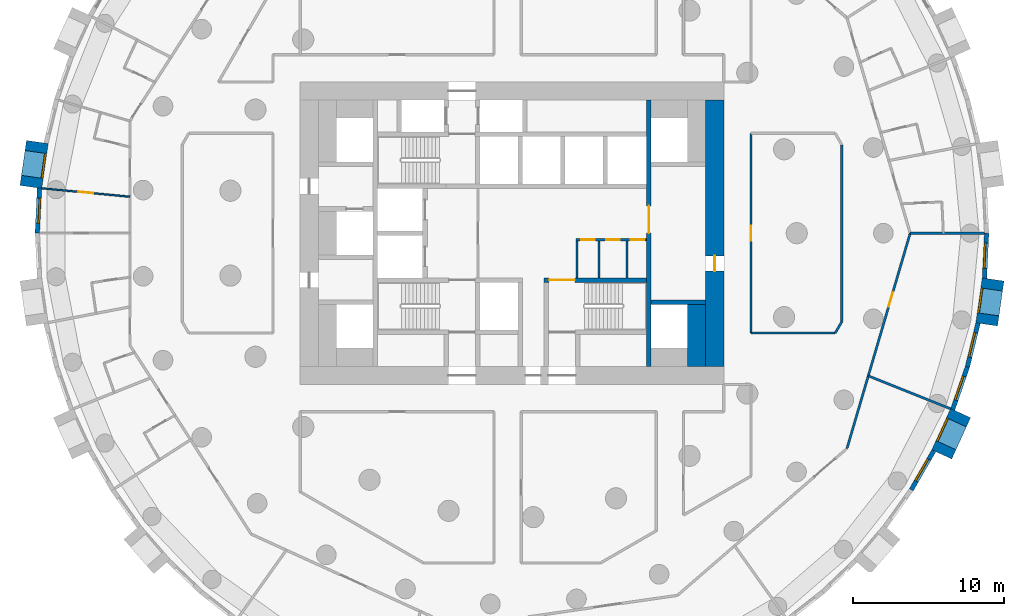
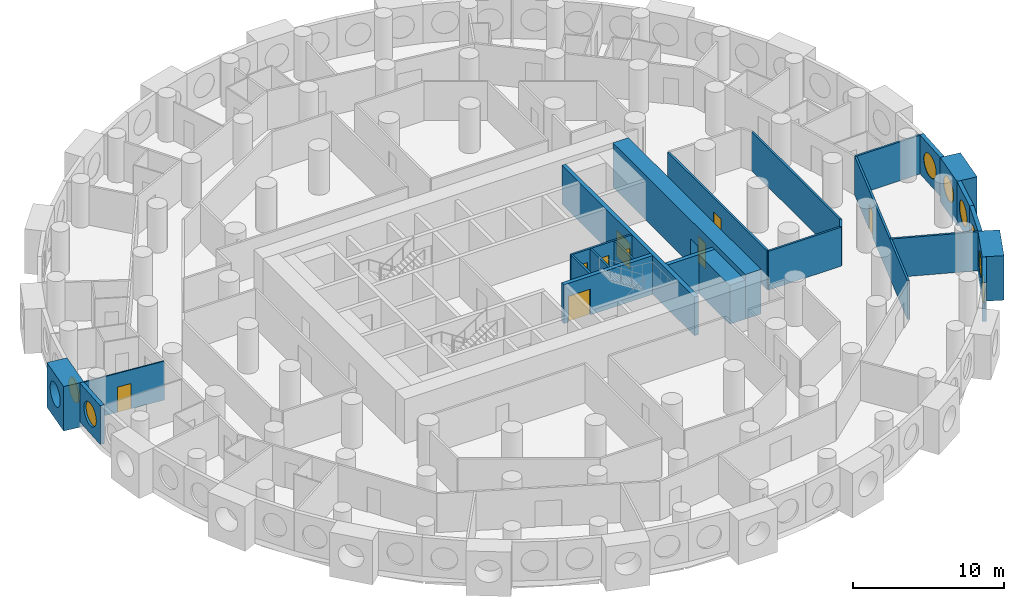
# One storey, part 6 of 12: 25 walls, 9 doors, 8 windows, 17 openings.
"""IFC4 building model written with IfcOpenShell, lengths in metres."""

from ifc_helpers import new_model, si_unit, direction, frame, frame_2d, origin, origin_2d, place, context, subcontext, project, spatial, rectangle, circle, extrude, material, layer, layer_set, type_object, element, fill, save


model = new_model("IFC4")

# Units and contexts
model_context = context("Model", 3, precision=1e-05, world=origin(), true_north=direction((0.0, 1.0)))
body_context = subcontext(model_context, "Body", "Model", "MODEL_VIEW")
ifc_project = project(units=[si_unit("LENGTHUNIT", "METRE"), si_unit("AREAUNIT", "SQUARE_METRE"), si_unit("VOLUMEUNIT", "CUBIC_METRE"), si_unit("PLANEANGLEUNIT", "RADIAN"), si_unit("MASSUNIT", "GRAM", prefix="KILO")], contexts=[model_context])

# Site, building, storey
site_placement = place(None, origin())
site = spatial("IfcSite", under=ifc_project, at=site_placement, CompositionType="ELEMENT")
building_placement = place(site_placement, origin())
building = spatial("IfcBuilding", under=site, at=building_placement, Name="Tracery Tower", CompositionType="ELEMENT")
storey_placement = place(building_placement, frame((0.0, 0.0, 107.39990234375)))
storey = spatial("IfcBuildingStorey", under=building, at=storey_placement, Name="L27", CompositionType="ELEMENT", Elevation=107.39990234375)

# Wall
ifc_material_1 = material(Name="Plasterboard on steel studs", Category="steel")
ifc_layer_1 = layer(ifc_material_1, 0.14990234375)
ifc_layer_set_1 = layer_set([ifc_layer_1], Name="Core room partition 150")
wall_type_1 = type_object("IfcWallType", Name="Core room partition 150", PredefinedType="SOLIDWALL", material=ifc_layer_set_1)
wall_1_placement = place(storey_placement, frame((4.300048828125, -2.949951171875, 0.0), z_axis=(0.0, 0.0, 1.0), x_axis=(0.0, 1.0, 0.0)))
element("IfcWall", 1, at=wall_1_placement, inside=storey, type_object=wall_type_1, Name="L27 slot W", PredefinedType="SOLIDWALL", context=body_context, shape_type="SweptSolid", body=[
    extrude(rectangle(XDim=2.449951171875, YDim=0.14990234375, at=frame_2d((1.22509765625, 0.0))), origin(), (0.0, 0.0, 1.0), 3.150146484375),
])

# Wall, openings, doors
wall_2_placement = place(storey_placement, frame((4.22509765625, -0.425048828125, 0.0), z_axis=(0.0, 0.0, 1.0), x_axis=(1.0, 0.0, 0.0)))
wall_2 = element("IfcWall", 2, at=wall_2_placement, inside=storey, type_object=wall_type_1, Name="L27 slot N", PredefinedType="SOLIDWALL", context=body_context, shape_type="SweptSolid", body=[
    extrude(rectangle(XDim=4.6748046875, YDim=0.14990234375, at=frame_2d((2.33740234375, 0.0))), origin(), (0.0, 0.0, 1.0), 3.150146484375),
])
opening_1_placement = place(wall_2_placement, frame((0.35009765625, 0.0, 0.0)))
opening_1 = element("IfcOpeningElement", 3, at=opening_1_placement, cuts=wall_2, Name="Opening KD27", PredefinedType="OPENING", context=body_context, shape_type="SweptSolid", body=[
    extrude(rectangle(XDim=0.89990234375, YDim=2.10009765625, at=frame_2d((0.449951171875, 1.050048828125))), frame((0.0, 0.074951171875, 0.0), z_axis=(0.0, -1.0, 0.0), x_axis=(1.0, 0.0, 0.0)), (0.0, 0.0, 1.0), 0.14990234375),
])
opening_2_placement = place(wall_2_placement, frame((2.0, 0.0, 0.0)))
opening_2 = element("IfcOpeningElement", 4, at=opening_2_placement, cuts=wall_2, Name="Opening KD21", PredefinedType="OPENING", context=body_context, shape_type="SweptSolid", body=[
    extrude(rectangle(XDim=0.89990234375, YDim=2.10009765625, at=frame_2d((0.449951171875, 1.050048828125))), frame((0.0, 0.074951171875, 0.0), z_axis=(0.0, -1.0, 0.0), x_axis=(1.0, 0.0, 0.0)), (0.0, 0.0, 1.0), 0.14990234375),
])
opening_3_placement = place(wall_2_placement, frame((3.612548828125, 0.0, 0.0)))
opening_3 = element("IfcOpeningElement", 5, at=opening_3_placement, cuts=wall_2, Name="Opening KD27", PredefinedType="OPENING", context=body_context, shape_type="SweptSolid", body=[
    extrude(rectangle(XDim=0.89990234375, YDim=2.10009765625, at=frame_2d((0.449951171875, 1.050048828125))), frame((0.0, 0.074951171875, 0.0), z_axis=(0.0, -1.0, 0.0), x_axis=(1.0, 0.0, 0.0)), (0.0, 0.0, 1.0), 0.14990234375),
])
ifc_material_2 = material(Name="Timber door leaf", Category="wood")
door_type_1 = type_object("IfcDoorType", Name="Core WC door 900", OperationType="NOTDEFINED", PredefinedType="DOOR", material=ifc_material_2)
door_1_placement = place(opening_2_placement, origin())
door_1 = element("IfcDoor", 6, at=door_1_placement, inside=storey, type_object=door_type_1, Name="Core door", OperationType="SINGLE_SWING_LEFT", OverallHeight=2.10009765625, OverallWidth=0.89990234375, PredefinedType="DOOR", context=body_context, shape_type="SweptSolid", body=[
    extrude(rectangle(XDim=0.89990234375, YDim=2.10009765625, at=frame_2d((0.449951171875, 1.050048828125))), frame((0.0, 0.02490234375, 0.0), z_axis=(0.0, -1.0, 0.0), x_axis=(1.0, 0.0, 0.0)), (0.0, 0.0, 1.0), 0.050048828125),
])
fill(opening_2, door_1)
ifc_material_3 = material(Name="Timber door leaf", Category="wood")
door_type_2 = type_object("IfcDoorType", Name="Core store door 900", OperationType="NOTDEFINED", PredefinedType="DOOR", material=ifc_material_3)
door_2_placement = place(opening_1_placement, origin())
door_2 = element("IfcDoor", 7, at=door_2_placement, inside=storey, type_object=door_type_2, Name="Core door", OperationType="SINGLE_SWING_RIGHT", OverallHeight=2.10009765625, OverallWidth=0.89990234375, PredefinedType="DOOR", context=body_context, shape_type="SweptSolid", body=[
    extrude(rectangle(XDim=0.89990234375, YDim=2.10009765625, at=frame_2d((0.449951171875, 1.050048828125))), frame((0.0, 0.02490234375, 0.0), z_axis=(0.0, -1.0, 0.0), x_axis=(1.0, 0.0, 0.0)), (0.0, 0.0, 1.0), 0.050048828125),
])
fill(opening_1, door_2)
door_3_placement = place(opening_3_placement, origin())
door_3 = element("IfcDoor", 8, at=door_3_placement, inside=storey, type_object=door_type_2, Name="Core door", OperationType="SINGLE_SWING_RIGHT", OverallHeight=2.10009765625, OverallWidth=0.89990234375, PredefinedType="DOOR", context=body_context, shape_type="SweptSolid", body=[
    extrude(rectangle(XDim=0.89990234375, YDim=2.10009765625, at=frame_2d((0.449951171875, 1.050048828125))), frame((0.0, 0.02490234375, 0.0), z_axis=(0.0, -1.0, 0.0), x_axis=(1.0, 0.0, 0.0)), (0.0, 0.0, 1.0), 0.050048828125),
])
fill(opening_3, door_3)

# Walls
for number, where, z_axis, x_axis, name in (
    (9, (5.75, -2.949951171875, 0.0), (0.0, 0.0, 1.0), (0.0, 1.0, 0.0), "L27 slot sep 1"),
    (10, (7.60009765625, -2.949951171875, 0.0), (0.0, 0.0, 1.0), (0.0, 1.0, 0.0), "L27 slot sep 2"),
):
    element("IfcWall", number, at=place(storey_placement, frame(where, z_axis=z_axis, x_axis=x_axis)), inside=storey, type_object=wall_type_1, Name=name, PredefinedType="SOLIDWALL", context=body_context, shape_type="SweptSolid", body=[
        extrude(rectangle(XDim=2.449951171875, YDim=0.14990234375, at=frame_2d((1.22509765625, 0.0))), origin(), (0.0, 0.0, 1.0), 3.150146484375),
    ])
ifc_material_4 = material(Name="Concrete C60/75", Category="concrete")
ifc_layer_2 = layer(ifc_material_4, 1.199951171875)
ifc_layer_set_2 = layer_set([ifc_layer_2], Name="Core strip wall 1200 C60")
wall_type_2 = type_object("IfcWallType", Name="Core strip wall 1200 C60", PredefinedType="SOLIDWALL", material=ifc_layer_set_2)
wall_3_placement = place(storey_placement, frame((12.199951171875, -8.800048828125, 0.0), z_axis=(0.0, 0.0, 1.0), x_axis=(0.0, 1.0, 0.0)))
element("IfcWall", 11, at=wall_3_placement, inside=storey, type_object=wall_type_2, Name="L27 wing strip +1 -9.4", PredefinedType="SOLIDWALL", context=body_context, shape_type="SweptSolid", body=[
    extrude(rectangle(XDim=4.10009765625, YDim=1.199951171875, at=frame_2d((2.050048828125, 0.0))), origin(), (0.0, 0.0, 1.0), 3.150146484375),
])

# Wall, opening, door
ifc_material_5 = material(Name="Concrete C60/75", Category="concrete")
ifc_layer_3 = layer(ifc_material_5, 1.199951171875)
ifc_layer_set_3 = layer_set([ifc_layer_3], Name="Core wall 1200 C60")
wall_type_3 = type_object("IfcWallType", Name="Core wall 1200 C60", PredefinedType="SOLIDWALL", material=ifc_layer_set_3)
wall_4_placement = place(storey_placement, frame((13.39990234375, -8.800048828125, 0.0), z_axis=(0.0, 0.0, 1.0), x_axis=(0.0, 1.0, 0.0)))
wall_4 = element("IfcWall", 12, at=wall_4_placement, inside=storey, type_object=wall_type_3, Name="L27 outer E", PredefinedType="SOLIDWALL", context=body_context, shape_type="SweptSolid", body=[
    extrude(rectangle(XDim=17.60009765625, YDim=1.199951171875, at=frame_2d((8.800048828125, 0.0))), origin(), (0.0, 0.0, 1.0), 3.60009765625),
])
opening_4_placement = place(wall_4_placement, frame((6.300048828125, 0.0, 0.0)))
opening_4 = element("IfcOpeningElement", 13, at=opening_4_placement, cuts=wall_4, Name="Opening KD18", PredefinedType="OPENING", context=body_context, shape_type="SweptSolid", body=[
    extrude(rectangle(XDim=1.0, YDim=2.10009765625, at=frame_2d((0.5, 1.050048828125))), frame((0.0, 0.60009765625, 0.0), z_axis=(0.0, -1.0, 0.0), x_axis=(1.0, 0.0, 0.0)), (0.0, 0.0, 1.0), 1.199951171875),
])
ifc_material_6 = material(Name="Steel fire door", Category="steel")
door_type_3 = type_object("IfcDoorType", Name="Core exit door 1000", OperationType="NOTDEFINED", PredefinedType="DOOR", material=ifc_material_6)
door_4_placement = place(opening_4_placement, origin())
door_4 = element("IfcDoor", 14, at=door_4_placement, inside=storey, type_object=door_type_3, Name="Core exit door", OperationType="DOUBLE_DOOR_SINGLE_SWING", OverallHeight=2.10009765625, OverallWidth=1.0, PredefinedType="DOOR", context=body_context, shape_type="SweptSolid", body=[
    extrude(rectangle(XDim=1.0, YDim=2.10009765625, at=frame_2d((0.5, 1.050048828125))), frame((0.0, 0.02490234375, 0.0), z_axis=(0.0, -1.0, 0.0), x_axis=(1.0, 0.0, 0.0)), (0.0, 0.0, 1.0), 0.050048828125),
])
fill(opening_4, door_4)

# Wall, opening, window
ifc_material_7 = material(Name="Precast concrete C50/60", Category="concrete")
ifc_layer_4 = layer(ifc_material_7, 1.449951171875)
ifc_layer_set_4 = layer_set([ifc_layer_4], Name="Deep-set bay unit 3000 x 3600, slab edge 450")
wall_type_4 = type_object("IfcWallType", Name="Deep-set bay unit 3000 x 3600, slab edge 450", PredefinedType="ELEMENTEDWALL", material=ifc_layer_set_4)
wall_5_placement = place(storey_placement, frame((-31.37548828125, 6.026611328125, -0.449951171875), z_axis=(0.0, 0.0, 1.0), x_axis=(-0.142332746704, -0.989818866872, 0.0)))
wall_5 = element("IfcWall", 15, at=wall_5_placement, inside=storey, type_object=wall_type_4, Name="Deep-set bay unit 32 at L27", PredefinedType="ELEMENTEDWALL", context=body_context, shape_type="SweptSolid", body=[
    extrude(rectangle(XDim=3.0, YDim=1.449951171875, at=frame_2d((1.5, 0.0))), origin(), (0.0, 0.0, 1.0), 3.60009765625),
])
opening_5_placement = place(wall_5_placement, frame((1.5, 0.0, 2.0)))
opening_5 = element("IfcOpeningElement", 16, at=opening_5_placement, cuts=wall_5, Name="Opening WN1", PredefinedType="OPENING", context=body_context, shape_type="SweptSolid", body=[
    extrude(circle(Radius=0.9000244140625, at=origin_2d()), frame((0.0, 0.73486328125, 0.0), z_axis=(0.0, -1.0, 0.0), x_axis=(1.0, 0.0, 0.0)), (0.0, 0.0, 1.0), 1.469970703125),
])
ifc_material_8 = material(Name="Aluminium frame with tinted double glazing", Category="aluminium")
window_type = type_object("IfcWindowType", Name="Round window 1800", PartitioningType="SINGLE_PANEL", PredefinedType="WINDOW", material=ifc_material_8)
window_1_placement = place(opening_5_placement, origin())
window_1 = element("IfcWindow", 17, at=window_1_placement, inside=storey, type_object=window_type, Name="Round window 32 at L27", OverallHeight=1.800048828125, OverallWidth=1.800048828125, PartitioningType="SINGLE_PANEL", PredefinedType="WINDOW", context=body_context, shape_type="SweptSolid", body=[
    extrude(circle(Radius=0.9000244140625, at=origin_2d()), frame((0.0, 0.69482421875, 0.0), z_axis=(0.0, -1.0, 0.0), x_axis=(1.0, 0.0, 0.0)), (0.0, 0.0, 1.0), 0.10009765625),
])
fill(opening_5, window_1)

wall_6_placement = place(storey_placement, frame((28.40673828125, -14.6220703125, -0.449951171875), z_axis=(0.0, 0.0, 1.0), x_axis=(0.415427028395, 0.909626508012, 0.0)))
wall_6 = element("IfcWall", 18, at=wall_6_placement, inside=storey, type_object=wall_type_4, Name="Deep-set bay unit 62 at L27", PredefinedType="ELEMENTEDWALL", context=body_context, shape_type="SweptSolid", body=[
    extrude(rectangle(XDim=3.000244140625, YDim=1.449951171875, at=frame_2d((1.5, 0.0))), origin(), (0.0, 0.0, 1.0), 3.60009765625),
])
opening_6_placement = place(wall_6_placement, frame((1.5, 0.0, 2.0)))
opening_6 = element("IfcOpeningElement", 19, at=opening_6_placement, cuts=wall_6, Name="Opening WN1", PredefinedType="OPENING", context=body_context, shape_type="SweptSolid", body=[
    extrude(circle(Radius=0.9000244140625, at=origin_2d()), frame((0.0, 0.73486328125, 0.0), z_axis=(0.0, -1.0, 0.0), x_axis=(1.0, 0.0, 0.0)), (0.0, 0.0, 1.0), 1.469970703125),
])
window_2_placement = place(opening_6_placement, origin())
window_2 = element("IfcWindow", 20, at=window_2_placement, inside=storey, type_object=window_type, Name="Round window 62 at L27", OverallHeight=1.800048828125, OverallWidth=1.800048828125, PartitioningType="SINGLE_PANEL", PredefinedType="WINDOW", context=body_context, shape_type="SweptSolid", body=[
    extrude(circle(Radius=0.9000244140625, at=origin_2d()), frame((0.0, 0.69482421875, 0.0), z_axis=(0.0, -1.0, 0.0), x_axis=(1.0, 0.0, 0.0)), (0.0, 0.0, 1.0), 0.10009765625),
])
fill(opening_6, window_2)

wall_7_placement = place(storey_placement, frame((31.37548828125, -6.026611328125, -0.449951171875), z_axis=(0.0, 0.0, 1.0), x_axis=(0.142332746704, 0.989818866872, 0.0)))
wall_7 = element("IfcWall", 21, at=wall_7_placement, inside=storey, type_object=wall_type_4, Name="Deep-set bay unit 65 at L27", PredefinedType="ELEMENTEDWALL", context=body_context, shape_type="SweptSolid", body=[
    extrude(rectangle(XDim=3.0, YDim=1.449951171875, at=frame_2d((1.5, 0.0))), origin(), (0.0, 0.0, 1.0), 3.60009765625),
])
opening_7_placement = place(wall_7_placement, frame((1.5, 0.0, 2.0)))
opening_7 = element("IfcOpeningElement", 22, at=opening_7_placement, cuts=wall_7, Name="Opening WN1", PredefinedType="OPENING", context=body_context, shape_type="SweptSolid", body=[
    extrude(circle(Radius=0.9000244140625, at=origin_2d()), frame((0.0, 0.73486328125, 0.0), z_axis=(0.0, -1.0, 0.0), x_axis=(1.0, 0.0, 0.0)), (0.0, 0.0, 1.0), 1.469970703125),
])
window_3_placement = place(opening_7_placement, origin())
window_3 = element("IfcWindow", 23, at=window_3_placement, inside=storey, type_object=window_type, Name="Round window 65 at L27", OverallHeight=1.800048828125, OverallWidth=1.800048828125, PartitioningType="SINGLE_PANEL", PredefinedType="WINDOW", context=body_context, shape_type="SweptSolid", body=[
    extrude(circle(Radius=0.9000244140625, at=origin_2d()), frame((0.0, 0.69482421875, 0.0), z_axis=(0.0, -1.0, 0.0), x_axis=(1.0, 0.0, 0.0)), (0.0, 0.0, 1.0), 0.10009765625),
])
fill(opening_7, window_3)

ifc_material_9 = material(Name="Precast concrete C50/60", Category="concrete")
ifc_layer_5 = layer(ifc_material_9, 0.300048828125)
ifc_layer_set_5 = layer_set([ifc_layer_5], Name="Facade panel 3000 x 3150")
wall_type_5 = type_object("IfcWallType", Name="Facade panel 3000 x 3150", PredefinedType="SOLIDWALL", material=ifc_layer_set_5)
wall_8_placement = place(storey_placement, frame((-31.232666015625, 2.976318359375, 0.0), z_axis=(0.0, 0.0, 1.0), x_axis=(-0.047604077644, -0.998866283239, 0.0)))
wall_8 = element("IfcWall", 24, at=wall_8_placement, inside=storey, type_object=wall_type_5, Name="Facade panel 33 at L27", PredefinedType="SOLIDWALL", context=body_context, shape_type="SweptSolid", body=[
    extrude(rectangle(XDim=2.979736328125, YDim=0.300048828125, at=frame_2d((1.48974609375, 0.0))), origin(), (0.0, 0.0, 1.0), 3.150146484375),
])
opening_8_placement = place(wall_8_placement, frame((1.48974609375, 0.0, 1.5498046875)))
opening_8 = element("IfcOpeningElement", 25, at=opening_8_placement, cuts=wall_8, Name="Opening WN1", PredefinedType="OPENING", context=body_context, shape_type="SweptSolid", body=[
    extrude(circle(Radius=0.9000244140625, at=origin_2d()), frame((0.0, 0.159912109375, 0.0), z_axis=(0.0, -1.0, 0.0), x_axis=(1.0, 0.0, 0.0)), (0.0, 0.0, 1.0), 0.320068359375),
])
window_4_placement = place(opening_8_placement, origin())
window_4 = element("IfcWindow", 26, at=window_4_placement, inside=storey, type_object=window_type, Name="Round window 33 at L27", OverallHeight=1.800048828125, OverallWidth=1.800048828125, PartitioningType="SINGLE_PANEL", PredefinedType="WINDOW", context=body_context, shape_type="SweptSolid", body=[
    extrude(circle(Radius=0.9000244140625, at=origin_2d()), frame((0.0, 0.1201171875, 0.0), z_axis=(0.0, -1.0, 0.0), x_axis=(1.0, 0.0, 0.0)), (0.0, 0.0, 1.0), 0.10009765625),
])
fill(opening_8, window_4)

wall_9_placement = place(storey_placement, frame((26.393798828125, -16.96240234375, 0.0), z_axis=(0.0, 0.0, 1.0), x_axis=(0.500025049464, 0.866010940986, 0.0)))
wall_9 = element("IfcWall", 27, at=wall_9_placement, inside=storey, type_object=wall_type_5, Name="Facade panel 61 at L27", PredefinedType="SOLIDWALL", context=body_context, shape_type="SweptSolid", body=[
    extrude(rectangle(XDim=2.979736328125, YDim=0.300048828125, at=frame_2d((1.48974609375, 0.0))), origin(), (0.0, 0.0, 1.0), 3.150146484375),
])
opening_9_placement = place(wall_9_placement, frame((1.48974609375, 0.0, 1.5498046875)))
opening_9 = element("IfcOpeningElement", 28, at=opening_9_placement, cuts=wall_9, Name="Opening WN1", PredefinedType="OPENING", context=body_context, shape_type="SweptSolid", body=[
    extrude(circle(Radius=0.9000244140625, at=origin_2d()), frame((0.0, 0.159912109375, 0.0), z_axis=(0.0, -1.0, 0.0), x_axis=(1.0, 0.0, 0.0)), (0.0, 0.0, 1.0), 0.320068359375),
])
window_5_placement = place(opening_9_placement, origin())
window_5 = element("IfcWindow", 29, at=window_5_placement, inside=storey, type_object=window_type, Name="Round window 61 at L27", OverallHeight=1.800048828125, OverallWidth=1.800048828125, PartitioningType="SINGLE_PANEL", PredefinedType="WINDOW", context=body_context, shape_type="SweptSolid", body=[
    extrude(circle(Radius=0.9000244140625, at=origin_2d()), frame((0.0, 0.1201171875, 0.0), z_axis=(0.0, -1.0, 0.0), x_axis=(1.0, 0.0, 0.0)), (0.0, 0.0, 1.0), 0.10009765625),
])
fill(opening_9, window_5)

wall_10_placement = place(storey_placement, frame((29.12890625, -11.655029296875, 0.0), z_axis=(0.0, 0.0, 1.0), x_axis=(0.327071167136, 0.944999709856, 0.0)))
wall_10 = element("IfcWall", 30, at=wall_10_placement, inside=storey, type_object=wall_type_5, Name="Facade panel 63 at L27", PredefinedType="SOLIDWALL", context=body_context, shape_type="SweptSolid", body=[
    extrude(rectangle(XDim=2.979736328125, YDim=0.300048828125, at=frame_2d((1.48974609375, 0.0))), origin(), (0.0, 0.0, 1.0), 3.150146484375),
])
opening_10_placement = place(wall_10_placement, frame((1.48974609375, 0.0, 1.5498046875)))
opening_10 = element("IfcOpeningElement", 31, at=opening_10_placement, cuts=wall_10, Name="Opening WN1", PredefinedType="OPENING", context=body_context, shape_type="SweptSolid", body=[
    extrude(circle(Radius=0.9000244140625, at=origin_2d()), frame((0.0, 0.159912109375, 0.0), z_axis=(0.0, -1.0, 0.0), x_axis=(1.0, 0.0, 0.0)), (0.0, 0.0, 1.0), 0.320068359375),
])
window_6_placement = place(opening_10_placement, origin())
window_6 = element("IfcWindow", 32, at=window_6_placement, inside=storey, type_object=window_type, Name="Round window 63 at L27", OverallHeight=1.800048828125, OverallWidth=1.800048828125, PartitioningType="SINGLE_PANEL", PredefinedType="WINDOW", context=body_context, shape_type="SweptSolid", body=[
    extrude(circle(Radius=0.9000244140625, at=origin_2d()), frame((0.0, 0.1201171875, 0.0), z_axis=(0.0, -1.0, 0.0), x_axis=(1.0, 0.0, 0.0)), (0.0, 0.0, 1.0), 0.10009765625),
])
fill(opening_10, window_6)

wall_11_placement = place(storey_placement, frame((30.103515625, -8.839111328125, 0.0), z_axis=(0.0, 0.0, 1.0), x_axis=(0.235743081534, 0.971815414319, 0.0)))
wall_11 = element("IfcWall", 33, at=wall_11_placement, inside=storey, type_object=wall_type_5, Name="Facade panel 64 at L27", PredefinedType="SOLIDWALL", context=body_context, shape_type="SweptSolid", body=[
    extrude(rectangle(XDim=2.9794921875, YDim=0.300048828125, at=frame_2d((1.48974609375, 0.0))), origin(), (0.0, 0.0, 1.0), 3.150146484375),
])
opening_11_placement = place(wall_11_placement, frame((1.48974609375, 0.0, 1.5498046875)))
opening_11 = element("IfcOpeningElement", 34, at=opening_11_placement, cuts=wall_11, Name="Opening WN1", PredefinedType="OPENING", context=body_context, shape_type="SweptSolid", body=[
    extrude(circle(Radius=0.9000244140625, at=origin_2d()), frame((0.0, 0.159912109375, 0.0), z_axis=(0.0, -1.0, 0.0), x_axis=(1.0, 0.0, 0.0)), (0.0, 0.0, 1.0), 0.320068359375),
])
window_7_placement = place(opening_11_placement, origin())
window_7 = element("IfcWindow", 35, at=window_7_placement, inside=storey, type_object=window_type, Name="Round window 64 at L27", OverallHeight=1.800048828125, OverallWidth=1.800048828125, PartitioningType="SINGLE_PANEL", PredefinedType="WINDOW", context=body_context, shape_type="SweptSolid", body=[
    extrude(circle(Radius=0.9000244140625, at=origin_2d()), frame((0.0, 0.1201171875, 0.0), z_axis=(0.0, -1.0, 0.0), x_axis=(1.0, 0.0, 0.0)), (0.0, 0.0, 1.0), 0.10009765625),
])
fill(opening_11, window_7)

wall_12_placement = place(storey_placement, frame((31.232666015625, -2.976318359375, 0.0), z_axis=(0.0, 0.0, 1.0), x_axis=(0.047604077644, 0.998866283239, 0.0)))
wall_12 = element("IfcWall", 36, at=wall_12_placement, inside=storey, type_object=wall_type_5, Name="Facade panel 66 at L27", PredefinedType="SOLIDWALL", context=body_context, shape_type="SweptSolid", body=[
    extrude(rectangle(XDim=2.979736328125, YDim=0.300048828125, at=frame_2d((1.48974609375, 0.0))), origin(), (0.0, 0.0, 1.0), 3.150146484375),
])
opening_12_placement = place(wall_12_placement, frame((1.48974609375, 0.0, 1.5498046875)))
opening_12 = element("IfcOpeningElement", 37, at=opening_12_placement, cuts=wall_12, Name="Opening WN1", PredefinedType="OPENING", context=body_context, shape_type="SweptSolid", body=[
    extrude(circle(Radius=0.9000244140625, at=origin_2d()), frame((0.0, 0.159912109375, 0.0), z_axis=(0.0, -1.0, 0.0), x_axis=(1.0, 0.0, 0.0)), (0.0, 0.0, 1.0), 0.320068359375),
])
window_8_placement = place(opening_12_placement, origin())
window_8 = element("IfcWindow", 38, at=window_8_placement, inside=storey, type_object=window_type, Name="Round window 66 at L27", OverallHeight=1.800048828125, OverallWidth=1.800048828125, PartitioningType="SINGLE_PANEL", PredefinedType="WINDOW", context=body_context, shape_type="SweptSolid", body=[
    extrude(circle(Radius=0.9000244140625, at=origin_2d()), frame((0.0, 0.1201171875, 0.0), z_axis=(0.0, -1.0, 0.0), x_axis=(1.0, 0.0, 0.0)), (0.0, 0.0, 1.0), 0.10009765625),
])
fill(opening_12, window_8)

# Wall, opening, door
ifc_material_10 = material(Name="Plasterboard on steel studs", Category="steel")
ifc_layer_6 = layer(ifc_material_10, 0.10009765625)
ifc_layer_set_6 = layer_set([ifc_layer_6], Name="Partition 100 stud")
wall_type_6 = type_object("IfcWallType", Name="Partition 100 stud", PredefinedType="PARTITIONING", material=ifc_layer_set_6)
wall_13_placement = place(storey_placement, frame((-31.0830078125, 2.968017578125, 0.0), z_axis=(0.0, 0.0, 1.0), x_axis=(0.995465070325, -0.095127775983, 0.0)))
wall_13 = element("IfcWall", 39, at=wall_13_placement, inside=storey, type_object=wall_type_6, Name="Stud partition RA8-095", PredefinedType="PARTITIONING", context=body_context, shape_type="SweptSolid", body=[
    extrude(rectangle(XDim=5.856689453125, YDim=0.10009765625, at=frame_2d((2.92822265625, 0.0))), origin(), (0.0, 0.0, 1.0), 3.150146484375),
])
opening_13_placement = place(wall_13_placement, frame((2.428466796875, 0.0, 0.0)))
opening_13 = element("IfcOpeningElement", 40, at=opening_13_placement, cuts=wall_13, Name="Opening RA8-34", PredefinedType="OPENING", context=body_context, shape_type="SweptSolid", body=[
    extrude(rectangle(XDim=1.0, YDim=2.0400390625, at=frame_2d((0.5, 1.02001953125))), frame((0.0, 0.050048828125, 0.0), z_axis=(0.0, -1.0, 0.0), x_axis=(1.0, 0.0, 0.0)), (0.0, 0.0, 1.0), 0.10009765625),
])
ifc_material_11 = material(Name="Timber door leaf", Category="wood")
door_type_4 = type_object("IfcDoorType", Name="Door communal room 1000", OperationType="NOTDEFINED", PredefinedType="DOOR", material=ifc_material_11)
door_5_placement = place(opening_13_placement, origin())
door_5 = element("IfcDoor", 41, at=door_5_placement, inside=storey, type_object=door_type_4, Name="Communal room door RA8-34", OperationType="SINGLE_SWING_LEFT", OverallHeight=2.0400390625, OverallWidth=1.0, PredefinedType="DOOR", context=body_context, shape_type="SweptSolid", body=[
    extrude(rectangle(XDim=1.0, YDim=2.0400390625, at=frame_2d((0.5, 1.02001953125))), frame((0.0, 0.02490234375, 0.0), z_axis=(0.0, -1.0, 0.0), x_axis=(1.0, 0.0, 0.0)), (0.0, 0.0, 1.0), 0.050048828125),
])
fill(opening_13, door_5)

# Walls
ifc_material_12 = material(Name="Plasterboard on steel studs", Category="steel")
ifc_layer_7 = layer(ifc_material_12, 0.14990234375)
ifc_layer_set_7 = layer_set([ifc_layer_7], Name="Partition 150 acoustic unit wall")
wall_type_7 = type_object("IfcWallType", Name="Partition 150 acoustic unit wall", PredefinedType="PARTITIONING", material=ifc_layer_set_7)
wall_14_placement = place(storey_placement, frame((26.319091796875, 0.0, 0.0), z_axis=(0.0, 0.0, 1.0), x_axis=(1.0, 0.0, 0.0)))
element("IfcWall", 42, at=wall_14_placement, inside=storey, type_object=wall_type_7, Name="Unit wall RA8-063", PredefinedType="PARTITIONING", context=body_context, shape_type="SweptSolid", body=[
    extrude(rectangle(XDim=4.905029296875, YDim=0.14990234375, at=frame_2d((2.45263671875, 0.0))), origin(), (0.0, 0.0, 1.0), 3.150146484375),
])
wall_15_placement = place(storey_placement, frame((23.550048828125, -9.427978515625, 0.0), z_axis=(0.0, 0.0, 1.0), x_axis=(0.9283702981, -0.371656547911, 0.0)))
element("IfcWall", 43, at=wall_15_placement, inside=storey, type_object=wall_type_7, Name="Unit wall RA8-116", PredefinedType="PARTITIONING", context=body_context, shape_type="SweptSolid", body=[
    extrude(rectangle(XDim=5.857666015625, YDim=0.14990234375, at=frame_2d((2.9287109375, 0.0))), origin(), (0.0, 0.0, 1.0), 3.150146484375),
])

# Wall, opening, door
ifc_material_13 = material(Name="Plasterboard on steel studs", Category="steel")
ifc_layer_8 = layer(ifc_material_13, 0.14990234375)
ifc_layer_set_8 = layer_set([ifc_layer_8], Name="Partition 150 corridor wall")
wall_type_8 = type_object("IfcWallType", Name="Partition 150 corridor wall", PredefinedType="PARTITIONING", material=ifc_layer_set_8)
wall_16_placement = place(storey_placement, frame((15.800048828125, -6.60400390625, 0.0), z_axis=(0.0, 0.0, 1.0), x_axis=(0.0, 1.0, 0.0)))
wall_16 = element("IfcWall", 44, at=wall_16_placement, inside=storey, type_object=wall_type_8, Name="Corridor wall RA8-012", PredefinedType="PARTITIONING", context=body_context, shape_type="SweptSolid", body=[
    extrude(rectangle(XDim=13.2080078125, YDim=0.14990234375, at=frame_2d((6.60400390625, 0.0))), origin(), (0.0, 0.0, 1.0), 3.150146484375),
])
opening_14_placement = place(wall_16_placement, frame((6.10400390625, 0.0, 0.0)))
opening_14 = element("IfcOpeningElement", 45, at=opening_14_placement, cuts=wall_16, Name="Opening RA8-07", PredefinedType="OPENING", context=body_context, shape_type="SweptSolid", body=[
    extrude(rectangle(XDim=1.0, YDim=2.0400390625, at=frame_2d((0.5, 1.02001953125))), frame((0.0, 0.074951171875, 0.0), z_axis=(0.0, -1.0, 0.0), x_axis=(1.0, 0.0, 0.0)), (0.0, 0.0, 1.0), 0.14990234375),
])
door_6_placement = place(opening_14_placement, origin())
door_6 = element("IfcDoor", 46, at=door_6_placement, inside=storey, type_object=door_type_4, Name="Communal room door RA8-07", OperationType="SINGLE_SWING_RIGHT", OverallHeight=2.0400390625, OverallWidth=1.0, PredefinedType="DOOR", context=body_context, shape_type="SweptSolid", body=[
    extrude(rectangle(XDim=1.0, YDim=2.0400390625, at=frame_2d((0.5, 1.02001953125))), frame((0.0, 0.02490234375, 0.0), z_axis=(0.0, -1.0, 0.0), x_axis=(1.0, 0.0, 0.0)), (0.0, 0.0, 1.0), 0.050048828125),
])
fill(opening_14, door_6)

# Walls
wall_17_placement = place(storey_placement, frame((15.800048828125, -6.60009765625, 0.0), z_axis=(0.0, 0.0, 1.0), x_axis=(1.0, 0.0, 0.0)))
element("IfcWall", 47, at=wall_17_placement, inside=storey, type_object=wall_type_8, Name="Corridor wall RA8-016", PredefinedType="PARTITIONING", context=body_context, shape_type="SweptSolid", body=[
    extrude(rectangle(XDim=5.56396484375, YDim=0.14990234375, at=frame_2d((2.781982421875, 0.0))), origin(), (0.0, 0.0, 1.0), 3.150146484375),
])
wall_18_placement = place(storey_placement, frame((21.364013671875, -6.60009765625, 0.0), z_axis=(0.0, 0.0, 1.0), x_axis=(0.500277597875, 0.865865073245, 0.0)))
element("IfcWall", 48, at=wall_18_placement, inside=storey, type_object=wall_type_8, Name="Corridor wall RA8-017", PredefinedType="PARTITIONING", context=body_context, shape_type="SweptSolid", body=[
    extrude(rectangle(XDim=0.87548828125, YDim=0.14990234375, at=frame_2d((0.437744140625, 0.0))), origin(), (0.0, 0.0, 1.0), 3.150146484375),
])
wall_19_placement = place(storey_placement, frame((21.802001953125, -5.842041015625, 0.0), z_axis=(0.0, 0.0, 1.0), x_axis=(0.0, 1.0, 0.0)))
element("IfcWall", 49, at=wall_19_placement, inside=storey, type_object=wall_type_8, Name="Corridor wall RA8-018", PredefinedType="PARTITIONING", context=body_context, shape_type="SweptSolid", body=[
    extrude(rectangle(XDim=11.68408203125, YDim=0.14990234375, at=frame_2d((5.842041015625, 0.0))), origin(), (0.0, 0.0, 1.0), 3.150146484375),
])

# Wall, opening, door
wall_20_placement = place(storey_placement, frame((22.14111328125, -14.22900390625, 0.0), z_axis=(0.0, 0.0, 1.0), x_axis=(0.281745602308, 0.959489143024, 0.0)))
wall_20 = element("IfcWall", 50, at=wall_20_placement, inside=storey, type_object=wall_type_8, Name="Corridor wall RA8-023", PredefinedType="PARTITIONING", context=body_context, shape_type="SweptSolid", body=[
    extrude(rectangle(XDim=14.829833984375, YDim=0.14990234375, at=frame_2d((7.4150390625, 0.0))), origin(), (0.0, 0.0, 1.0), 3.150146484375),
])
opening_15_placement = place(wall_20_placement, frame((9.7646484375, 0.0, 0.0)))
opening_15 = element("IfcOpeningElement", 51, at=opening_15_placement, cuts=wall_20, Name="Opening RA8-49", PredefinedType="OPENING", context=body_context, shape_type="SweptSolid", body=[
    extrude(rectangle(XDim=1.0, YDim=2.0400390625, at=frame_2d((0.5, 1.02001953125))), frame((0.0, 0.074951171875, 0.0), z_axis=(0.0, -1.0, 0.0), x_axis=(1.0, 0.0, 0.0)), (0.0, 0.0, 1.0), 0.14990234375),
])
door_7_placement = place(opening_15_placement, origin())
door_7 = element("IfcDoor", 52, at=door_7_placement, inside=storey, type_object=door_type_4, Name="Communal room door RA8-49", OperationType="SINGLE_SWING_LEFT", OverallHeight=2.0400390625, OverallWidth=1.0, PredefinedType="DOOR", context=body_context, shape_type="SweptSolid", body=[
    extrude(rectangle(XDim=1.0, YDim=2.0400390625, at=frame_2d((0.5, 1.02001953125))), frame((0.0, 0.02490234375, 0.0), z_axis=(0.0, -1.0, 0.0), x_axis=(1.0, 0.0, 0.0)), (0.0, 0.0, 1.0), 0.050048828125),
])
fill(opening_15, door_7)

# Wall
ifc_material_14 = material(Name="Concrete C60/75", Category="concrete")
ifc_layer_9 = layer(ifc_material_14, 0.300048828125)
ifc_layer_set_9 = layer_set([ifc_layer_9], Name="Shaft wall 300 C60")
wall_type_9 = type_object("IfcWallType", Name="Shaft wall 300 C60", PredefinedType="SOLIDWALL", material=ifc_layer_set_9)
wall_21_placement = place(storey_placement, frame((9.199951171875, -4.550048828125, 0.0), z_axis=(0.0, 0.0, 1.0), x_axis=(1.0, 0.0, 0.0)))
element("IfcWall", 53, at=wall_21_placement, inside=storey, type_object=wall_type_9, Name="L27 wing shaft wall +1 -4.55", PredefinedType="SOLIDWALL", context=body_context, shape_type="SweptSolid", body=[
    extrude(rectangle(XDim=3.60009765625, YDim=0.300048828125, at=frame_2d((1.800048828125, 0.0))), origin(), (0.0, 0.0, 1.0), 3.150146484375),
])

# Wall, opening, door
ifc_material_15 = material(Name="Concrete C60/75", Category="concrete")
ifc_layer_10 = layer(ifc_material_15, 0.300048828125)
ifc_layer_set_10 = layer_set([ifc_layer_10], Name="Stair wall 300 C60")
wall_type_10 = type_object("IfcWallType", Name="Stair wall 300 C60", PredefinedType="SOLIDWALL", material=ifc_layer_set_10)
wall_22_placement = place(storey_placement, frame((2.10009765625, -3.10009765625, 0.0), z_axis=(0.0, 0.0, 1.0), x_axis=(1.0, 0.0, 0.0)))
wall_22 = element("IfcWall", 54, at=wall_22_placement, inside=storey, type_object=wall_type_10, Name="L27 row S E", PredefinedType="SOLIDWALL", context=body_context, shape_type="SweptSolid", body=[
    extrude(rectangle(XDim=6.7998046875, YDim=0.300048828125, at=frame_2d((3.39990234375, 0.0))), origin(), (0.0, 0.0, 1.0), 3.150146484375),
])
opening_16_placement = place(wall_22_placement, frame((0.35009765625, 0.0, 0.0)))
opening_16 = element("IfcOpeningElement", 55, at=opening_16_placement, cuts=wall_22, Name="Opening KD3", PredefinedType="OPENING", context=body_context, shape_type="SweptSolid", body=[
    extrude(rectangle(XDim=1.699951171875, YDim=2.10009765625, at=frame_2d((0.85009765625, 1.050048828125))), frame((0.0, 0.14990234375, 0.0), z_axis=(0.0, -1.0, 0.0), x_axis=(1.0, 0.0, 0.0)), (0.0, 0.0, 1.0), 0.300048828125),
])
ifc_material_16 = material(Name="Steel fire door", Category="steel")
door_type_5 = type_object("IfcDoorType", Name="Core stair door 1700 double", OperationType="NOTDEFINED", PredefinedType="DOOR", material=ifc_material_16)
door_8_placement = place(opening_16_placement, origin())
door_8 = element("IfcDoor", 56, at=door_8_placement, inside=storey, type_object=door_type_5, Name="Stair door ST2", OperationType="DOUBLE_DOOR_SINGLE_SWING", OverallHeight=2.10009765625, OverallWidth=1.699951171875, PredefinedType="DOOR", context=body_context, shape_type="SweptSolid", body=[
    extrude(rectangle(XDim=1.699951171875, YDim=2.10009765625, at=frame_2d((0.85009765625, 1.050048828125))), frame((0.0, 0.02490234375, 0.0), z_axis=(0.0, -1.0, 0.0), x_axis=(1.0, 0.0, 0.0)), (0.0, 0.0, 1.0), 0.050048828125),
])
fill(opening_16, door_8)

wall_23_placement = place(storey_placement, frame((9.050048828125, -8.800048828125, 0.0), z_axis=(0.0, 0.0, 1.0), x_axis=(0.0, 1.0, 0.0)))
wall_23 = element("IfcWall", 57, at=wall_23_placement, inside=storey, type_object=wall_type_10, Name="L27 F wall +9", PredefinedType="SOLIDWALL", context=body_context, shape_type="SweptSolid", body=[
    extrude(rectangle(XDim=17.60009765625, YDim=0.300048828125, at=frame_2d((8.800048828125, 0.0))), origin(), (0.0, 0.0, 1.0), 3.150146484375),
])
opening_17_placement = place(wall_23_placement, frame((8.800048828125, 0.0, 0.0)))
opening_17 = element("IfcOpeningElement", 58, at=opening_17_placement, cuts=wall_23, Name="Opening KD13", PredefinedType="OPENING", context=body_context, shape_type="SweptSolid", body=[
    extrude(rectangle(XDim=1.800048828125, YDim=2.10009765625, at=frame_2d((0.89990234375, 1.050048828125))), frame((0.0, 0.14990234375, 0.0), z_axis=(0.0, -1.0, 0.0), x_axis=(1.0, 0.0, 0.0)), (0.0, 0.0, 1.0), 0.300048828125),
])
ifc_material_17 = material(Name="Steel fire door", Category="steel")
door_type_6 = type_object("IfcDoorType", Name="Core exit door 1800 double", OperationType="NOTDEFINED", PredefinedType="DOOR", material=ifc_material_17)
door_9_placement = place(opening_17_placement, origin())
door_9 = element("IfcDoor", 59, at=door_9_placement, inside=storey, type_object=door_type_6, Name="Core exit door", OperationType="DOUBLE_DOOR_SINGLE_SWING", OverallHeight=2.10009765625, OverallWidth=1.800048828125, PredefinedType="DOOR", context=body_context, shape_type="SweptSolid", body=[
    extrude(rectangle(XDim=1.800048828125, YDim=2.10009765625, at=frame_2d((0.89990234375, 1.050048828125))), frame((0.0, 0.02490234375, 0.0), z_axis=(0.0, -1.0, 0.0), x_axis=(1.0, 0.0, 0.0)), (0.0, 0.0, 1.0), 0.050048828125),
])
fill(opening_17, door_9)

save(model, "model.ifc")
